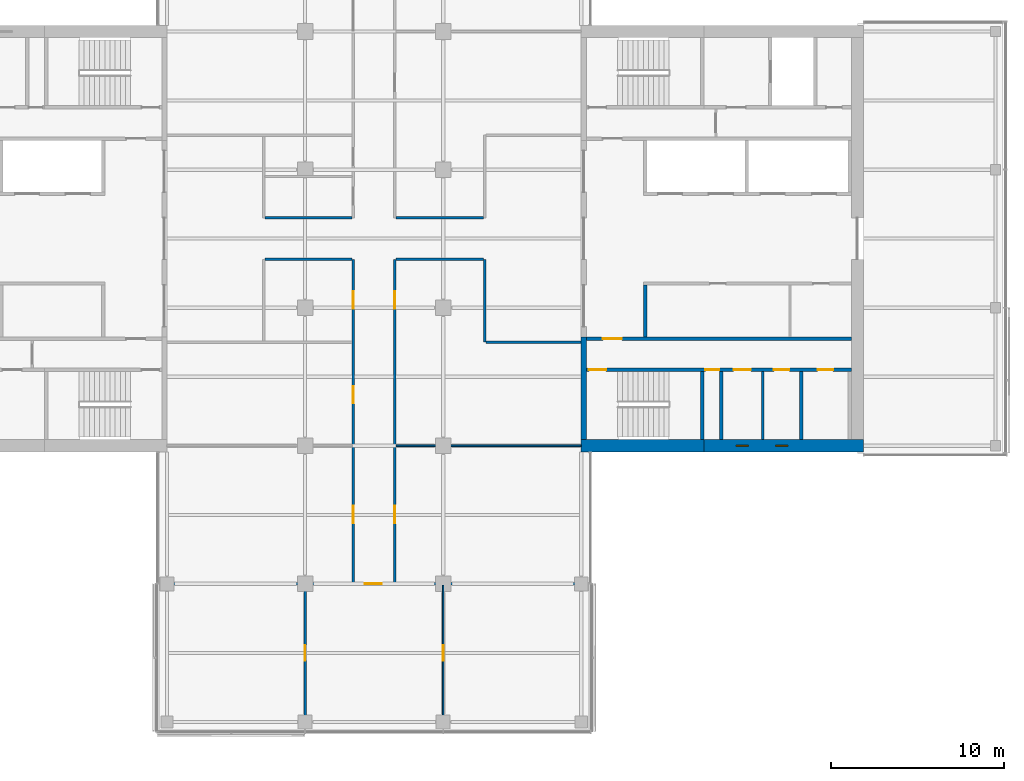
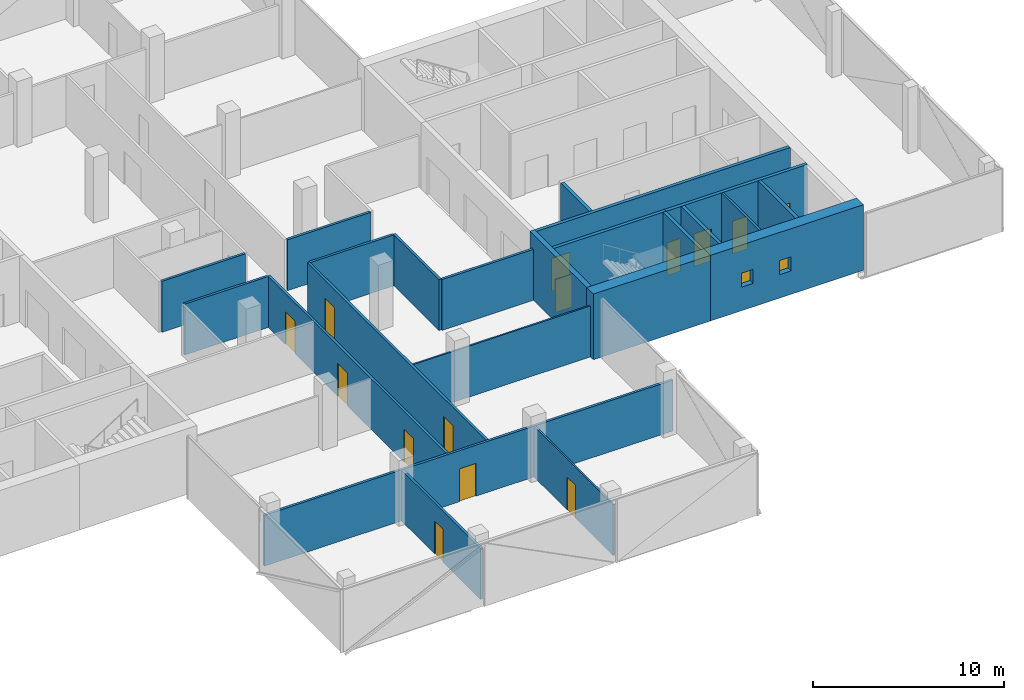
# One storey, part 14 of 22: 23 walls, 14 doors, 2 windows, 16 openings.
"""IFC4 building model written with IfcOpenShell, lengths in metres."""

from ifc_helpers import new_model, si_unit, direction, frame, frame_2d, origin, place, context, subcontext, project, spatial, rectangle, extrude, material, layer, layer_set, constituent, constituent_set, type_object, element, fill, save


model = new_model("IFC4")

# Units and contexts
model_context = context("Model", 3, precision=1e-05, world=origin(), true_north=direction((0.0, 1.0)))
body_context = subcontext(model_context, "Body", "Model", "MODEL_VIEW")
ifc_project = project(units=[si_unit("LENGTHUNIT", "METRE"), si_unit("AREAUNIT", "SQUARE_METRE"), si_unit("VOLUMEUNIT", "CUBIC_METRE"), si_unit("PLANEANGLEUNIT", "RADIAN"), si_unit("MASSUNIT", "GRAM", prefix="KILO")], contexts=[model_context])

# Site, building, storey
site_placement = place(None, origin())
site = spatial("IfcSite", under=ifc_project, at=site_placement, CompositionType="ELEMENT")
building_placement = place(site_placement, origin())
building = spatial("IfcBuilding", under=site, at=building_placement, Name="Crosswind Convention Tower", CompositionType="ELEMENT")
storey_placement = place(building_placement, frame((0.0, 0.0, 167.300048828125)))
storey = spatial("IfcBuildingStorey", under=building, at=storey_placement, Name="L35", CompositionType="ELEMENT", Elevation=167.300048828125)

# Walls
ifc_material_1 = material(Name="Concrete blockwork", Category="masonry")
ifc_layer_1 = layer(ifc_material_1, 0.199951171875)
ifc_layer_set_1 = layer_set([ifc_layer_1], Name="Blockwork partition wall 200")
wall_type_1 = type_object("IfcWallType", Name="Blockwork partition wall 200", PredefinedType="PARTITIONING", material=ifc_layer_set_1)
wall_1_placement = place(storey_placement, frame((145.10009765625, 88.35009765625, 0.0), z_axis=(0.0, 0.0, 1.0), x_axis=(0.0, 1.0, 0.0)))
element("IfcWall", 1, at=wall_1_placement, inside=storey, type_object=wall_type_1, Name="Wall MRSE E L35", PredefinedType="PARTITIONING", context=body_context, shape_type="SweptSolid", body=[
    extrude(rectangle(XDim=3.949951171875, YDim=0.199951171875, at=frame_2d((1.97509765625, 0.0))), origin(), (0.0, 0.0, 1.0), 4.199951171875),
])
ifc_material_2 = material(Name="Concrete C50/60", Category="concrete")
ifc_layer_2 = layer(ifc_material_2, 0.300048828125)
ifc_layer_set_2 = layer_set([ifc_layer_2], Name="Concrete C50/60")
wall_type_2 = type_object("IfcWallType", Name="Concrete inner core wall 300", PredefinedType="SHEAR", material=ifc_layer_set_2)
wall_2_placement = place(storey_placement, frame((137.14990234375, 88.35009765625, 0.0), z_axis=(0.0, 0.0, 1.0), x_axis=(0.0, 1.0, 0.0)))
element("IfcWall", 2, at=wall_2_placement, inside=storey, type_object=wall_type_2, Name="Wall EM E L35", PredefinedType="SHEAR", context=body_context, shape_type="SweptSolid", body=[
    extrude(rectangle(XDim=5.949951171875, YDim=0.300048828125, at=frame_2d((2.97509765625, 0.0))), origin(), (0.0, 0.0, 1.0), 4.199951171875),
])
ifc_layer_3 = layer(ifc_material_2, 0.199951171875)
ifc_layer_set_3 = layer_set([ifc_layer_3], Name="Concrete C50/60")
wall_type_3 = type_object("IfcWallType", Name="Concrete shaft and stair wall 200", PredefinedType="SHEAR", material=ifc_layer_set_3)
wall_3_placement = place(storey_placement, frame((140.699951171875, 94.300048828125, 0.0), z_axis=(0.0, 0.0, 1.0), x_axis=(0.0, 1.0, 0.0)))
element("IfcWall", 3, at=wall_3_placement, inside=storey, type_object=wall_type_3, Name="Wall RMEND E L35", PredefinedType="SHEAR", context=body_context, shape_type="SweptSolid", body=[
    extrude(rectangle(XDim=3.0, YDim=0.199951171875, at=frame_2d((1.5, 0.0))), origin(), (0.0, 0.0, 1.0), 4.199951171875),
])

# Wall, opening, door
wall_4_placement = place(storey_placement, frame((137.300048828125, 94.199951171875, 0.0), z_axis=(0.0, 0.0, 1.0), x_axis=(1.0, 0.0, 0.0)))
wall_4 = element("IfcWall", 4, at=wall_4_placement, inside=storey, type_object=wall_type_3, Name="Wall HM E L35", PredefinedType="SHEAR", context=body_context, shape_type="SweptSolid", body=[
    extrude(rectangle(XDim=15.349853515625, YDim=0.199951171875, at=frame_2d((7.6748046875, 0.0))), origin(), (0.0, 0.0, 1.0), 4.199951171875),
])
opening_1_placement = place(wall_4_placement, frame((0.949951171875, 0.0, 0.0)))
opening_1 = element("IfcOpeningElement", 5, at=opening_1_placement, cuts=wall_4, Name="Opening D104", PredefinedType="OPENING", context=body_context, shape_type="SweptSolid", body=[
    extrude(rectangle(XDim=1.10009765625, YDim=2.10009765625, at=frame_2d((0.550048828125, 1.050048828125))), frame((0.0, 0.10986328125, 0.0), z_axis=(0.0, -1.0, 0.0), x_axis=(1.0, 0.0, 0.0)), (0.0, 0.0, 1.0), 0.219970703125),
])
ifc_material_3 = material(Name="Steel fire door", Category="steel")
door_type_1 = type_object("IfcDoorType", Name="Fire-rated single door 1100x2100", OperationType="NOTDEFINED", PredefinedType="DOOR", material=ifc_material_3)
door_1_placement = place(opening_1_placement, origin())
door_1 = element("IfcDoor", 6, at=door_1_placement, inside=storey, type_object=door_type_1, Name="Corridor door L35", ObjectType="D104", OperationType="SINGLE_SWING_LEFT", OverallHeight=2.10009765625, OverallWidth=1.10009765625, PredefinedType="DOOR", context=body_context, shape_type="SweptSolid", body=[
    extrude(rectangle(XDim=1.10009765625, YDim=2.10009765625, at=frame_2d((0.550048828125, 1.050048828125))), frame((0.0, 0.02490234375, 0.0), z_axis=(0.0, -1.0, 0.0), x_axis=(1.0, 0.0, 0.0)), (0.0, 0.0, 1.0), 0.050048828125),
])
fill(opening_1, door_1)

# Walls
for number, where, z_axis, x_axis, name in (
    (7, (144.0, 88.35009765625, 0.0), (0.0, 0.0, 1.0), (0.0, 1.0, 0.0), "Wall MSE E L35"),
    (8, (149.75, 88.35009765625, 0.0), (0.0, 0.0, 1.0), (0.0, 1.0, 0.0), "Wall MFSW E L35"),
):
    element("IfcWall", number, at=place(storey_placement, frame(where, z_axis=z_axis, x_axis=x_axis)), inside=storey, type_object=wall_type_3, Name=name, PredefinedType="SHEAR", context=body_context, shape_type="SweptSolid", body=[
        extrude(rectangle(XDim=3.949951171875, YDim=0.199951171875, at=frame_2d((1.97509765625, 0.0))), origin(), (0.0, 0.0, 1.0), 4.199951171875),
    ])

# Wall, opening, door
wall_5_placement = place(storey_placement, frame((137.300048828125, 92.39990234375, 0.0), z_axis=(0.0, 0.0, 1.0), x_axis=(1.0, 0.0, 0.0)))
wall_5 = element("IfcWall", 9, at=wall_5_placement, inside=storey, type_object=wall_type_3, Name="Wall MCW E L35", PredefinedType="SHEAR", context=body_context, shape_type="SweptSolid", body=[
    extrude(rectangle(XDim=6.800048828125, YDim=0.199951171875, at=frame_2d((3.39990234375, 0.0))), origin(), (0.0, 0.0, 1.0), 4.199951171875),
])
opening_2_placement = place(wall_5_placement, frame((0.14990234375, 0.0, 0.0)))
opening_2 = element("IfcOpeningElement", 10, at=opening_2_placement, cuts=wall_5, Name="Opening D103", PredefinedType="OPENING", context=body_context, shape_type="SweptSolid", body=[
    extrude(rectangle(XDim=1.0, YDim=2.10009765625, at=frame_2d((0.5, 1.050048828125))), frame((0.0, 0.10986328125, 0.0), z_axis=(0.0, -1.0, 0.0), x_axis=(1.0, 0.0, 0.0)), (0.0, 0.0, 1.0), 0.219970703125),
])
door_type_2 = type_object("IfcDoorType", Name="Fire-rated single door 1000x2100", OperationType="NOTDEFINED", PredefinedType="DOOR", material=ifc_material_3)
door_2_placement = place(opening_2_placement, frame((1.0, 0.0, 0.0), z_axis=(0.0, 0.0, 1.0), x_axis=(-1.0, 0.0, 0.0)))
door_2 = element("IfcDoor", 11, at=door_2_placement, inside=storey, type_object=door_type_2, Name="Stair ST2 door L35", ObjectType="D103", OperationType="SINGLE_SWING_RIGHT", OverallHeight=2.10009765625, OverallWidth=1.0, PredefinedType="DOOR", context=body_context, shape_type="SweptSolid", body=[
    extrude(rectangle(XDim=1.0, YDim=2.10009765625, at=frame_2d((0.5, 1.050048828125))), frame((0.0, 0.02490234375, 0.0), z_axis=(0.0, -1.0, 0.0), x_axis=(1.0, 0.0, 0.0)), (0.0, 0.0, 1.0), 0.050048828125),
])
fill(opening_2, door_2)

# Wall, openings, doors
wall_6_placement = place(storey_placement, frame((144.10009765625, 92.39990234375, 0.0), z_axis=(0.0, 0.0, 1.0), x_axis=(1.0, 0.0, 0.0)))
wall_6 = element("IfcWall", 12, at=wall_6_placement, inside=storey, type_object=wall_type_3, Name="Wall MCX E L35", PredefinedType="SHEAR", context=body_context, shape_type="SweptSolid", body=[
    extrude(rectangle(XDim=8.5498046875, YDim=0.199951171875, at=frame_2d((4.27490234375, 0.0))), origin(), (0.0, 0.0, 1.0), 4.199951171875),
])
opening_3_placement = place(wall_6_placement, frame((0.10009765625, 0.0, 0.0)))
opening_3 = element("IfcOpeningElement", 13, at=opening_3_placement, cuts=wall_6, Name="Opening D105", PredefinedType="OPENING", context=body_context, shape_type="SweptSolid", body=[
    extrude(rectangle(XDim=0.800048828125, YDim=2.10009765625, at=frame_2d((0.39990234375, 1.050048828125))), frame((0.0, 0.10986328125, 0.0), z_axis=(0.0, -1.0, 0.0), x_axis=(1.0, 0.0, 0.0)), (0.0, 0.0, 1.0), 0.219970703125),
])
opening_4_placement = place(wall_6_placement, frame((1.725830078125, 0.0, 0.0)))
opening_4 = element("IfcOpeningElement", 14, at=opening_4_placement, cuts=wall_6, Name="Opening D103", PredefinedType="OPENING", context=body_context, shape_type="SweptSolid", body=[
    extrude(rectangle(XDim=1.0, YDim=2.10009765625, at=frame_2d((0.5, 1.050048828125))), frame((0.0, 0.10986328125, 0.0), z_axis=(0.0, -1.0, 0.0), x_axis=(1.0, 0.0, 0.0)), (0.0, 0.0, 1.0), 0.219970703125),
])
opening_5_placement = place(wall_6_placement, frame((4.063232421875, 0.0, 0.0)))
opening_5 = element("IfcOpeningElement", 15, at=opening_5_placement, cuts=wall_6, Name="Opening D106", PredefinedType="OPENING", context=body_context, shape_type="SweptSolid", body=[
    extrude(rectangle(XDim=0.89990234375, YDim=2.10009765625, at=frame_2d((0.449951171875, 1.050048828125))), frame((0.0, 0.10986328125, 0.0), z_axis=(0.0, -1.0, 0.0), x_axis=(1.0, 0.0, 0.0)), (0.0, 0.0, 1.0), 0.219970703125),
])
opening_6_placement = place(wall_6_placement, frame((6.60009765625, 0.0, 0.0)))
opening_6 = element("IfcOpeningElement", 16, at=opening_6_placement, cuts=wall_6, Name="Opening D106", PredefinedType="OPENING", context=body_context, shape_type="SweptSolid", body=[
    extrude(rectangle(XDim=0.89990234375, YDim=2.10009765625, at=frame_2d((0.449951171875, 1.050048828125))), frame((0.0, 0.10986328125, 0.0), z_axis=(0.0, -1.0, 0.0), x_axis=(1.0, 0.0, 0.0)), (0.0, 0.0, 1.0), 0.219970703125),
])
door_3_placement = place(opening_4_placement, frame((1.0, 0.0, 0.0), z_axis=(0.0, 0.0, 1.0), x_axis=(-1.0, 0.0, 0.0)))
door_3 = element("IfcDoor", 17, at=door_3_placement, inside=storey, type_object=door_type_2, Name="Door to accessible wc L35", ObjectType="D103", OperationType="SINGLE_SWING_LEFT", OverallHeight=2.10009765625, OverallWidth=1.0, PredefinedType="DOOR", context=body_context, shape_type="SweptSolid", body=[
    extrude(rectangle(XDim=1.0, YDim=2.10009765625, at=frame_2d((0.5, 1.050048828125))), frame((0.0, 0.02490234375, 0.0), z_axis=(0.0, -1.0, 0.0), x_axis=(1.0, 0.0, 0.0)), (0.0, 0.0, 1.0), 0.050048828125),
])
fill(opening_4, door_3)
door_type_3 = type_object("IfcDoorType", Name="Riser access door 800x2100", OperationType="NOTDEFINED", PredefinedType="DOOR", material=ifc_material_3)
door_4_placement = place(opening_3_placement, frame((0.800048828125, 0.0, 0.0), z_axis=(0.0, 0.0, 1.0), x_axis=(-1.0, 0.0, 0.0)))
door_4 = element("IfcDoor", 18, at=door_4_placement, inside=storey, type_object=door_type_3, Name="Riser door L35", ObjectType="D105", OperationType="SINGLE_SWING_LEFT", OverallHeight=2.10009765625, OverallWidth=0.800048828125, PredefinedType="DOOR", context=body_context, shape_type="SweptSolid", body=[
    extrude(rectangle(XDim=0.800048828125, YDim=2.10009765625, at=frame_2d((0.39990234375, 1.050048828125))), frame((0.0, 0.02490234375, 0.0), z_axis=(0.0, -1.0, 0.0), x_axis=(1.0, 0.0, 0.0)), (0.0, 0.0, 1.0), 0.050048828125),
])
fill(opening_3, door_4)
ifc_material_4 = material(Name="Timber door", Category="wood")
door_type_4 = type_object("IfcDoorType", Name="Single leaf door 900x2100", OperationType="NOTDEFINED", PredefinedType="DOOR", material=ifc_material_4)
door_5_placement = place(opening_5_placement, frame((0.89990234375, 0.0, 0.0), z_axis=(0.0, 0.0, 1.0), x_axis=(-1.0, 0.0, 0.0)))
door_5 = element("IfcDoor", 19, at=door_5_placement, inside=storey, type_object=door_type_4, Name="Door to wc L35", ObjectType="D106", OperationType="SINGLE_SWING_LEFT", OverallHeight=2.10009765625, OverallWidth=0.89990234375, PredefinedType="DOOR", context=body_context, shape_type="SweptSolid", body=[
    extrude(rectangle(XDim=0.89990234375, YDim=2.10009765625, at=frame_2d((0.449951171875, 1.050048828125))), frame((0.0, 0.02490234375, 0.0), z_axis=(0.0, -1.0, 0.0), x_axis=(1.0, 0.0, 0.0)), (0.0, 0.0, 1.0), 0.050048828125),
])
fill(opening_5, door_5)
door_6_placement = place(opening_6_placement, frame((0.89990234375, 0.0, 0.0), z_axis=(0.0, 0.0, 1.0), x_axis=(-1.0, 0.0, 0.0)))
door_6 = element("IfcDoor", 20, at=door_6_placement, inside=storey, type_object=door_type_4, Name="Door to wc L35", ObjectType="D106", OperationType="SINGLE_SWING_LEFT", OverallHeight=2.10009765625, OverallWidth=0.89990234375, PredefinedType="DOOR", context=body_context, shape_type="SweptSolid", body=[
    extrude(rectangle(XDim=0.89990234375, YDim=2.10009765625, at=frame_2d((0.449951171875, 1.050048828125))), frame((0.0, 0.02490234375, 0.0), z_axis=(0.0, -1.0, 0.0), x_axis=(1.0, 0.0, 0.0)), (0.0, 0.0, 1.0), 0.050048828125),
])
fill(opening_6, door_6)

# Wall
ifc_material_5 = material(Name="Gypsum plasterboard partition", Category="gypsum")
ifc_layer_4 = layer(ifc_material_5, 0.125)
ifc_layer_set_4 = layer_set([ifc_layer_4], Name="Drywall partition wall 125")
wall_type_4 = type_object("IfcWallType", Name="Drywall partition wall 125", PredefinedType="PARTITIONING", material=ifc_layer_set_4)
wall_7_placement = place(storey_placement, frame((147.513916015625, 88.35009765625, 0.0), z_axis=(0.0, 0.0, 1.0), x_axis=(0.0, 1.0, 0.0)))
element("IfcWall", 21, at=wall_7_placement, inside=storey, type_object=wall_type_4, Name="Wall MWP1 E L35", PredefinedType="PARTITIONING", context=body_context, shape_type="SweptSolid", body=[
    extrude(rectangle(XDim=3.949951171875, YDim=0.125, at=frame_2d((1.97509765625, 0.0))), origin(), (0.0, 0.0, 1.0), 4.199951171875),
])

# Wall, opening, door
ifc_material_6 = material(Name="Plasterboard partition", Category="gypsum")
ifc_layer_5 = layer(ifc_material_6, 0.10009765625)
ifc_layer_set_5 = layer_set([ifc_layer_5], Name="PARTITION 100 METAL STUD")
wall_type_5 = type_object("IfcWallType", Name="PARTITION 100 METAL STUD", PredefinedType="PARTITIONING", material=ifc_layer_set_5)
wall_8_placement = place(storey_placement, frame((129.0, 71.6298828125, 0.0), z_axis=(0.0, 0.0, 1.0), x_axis=(0.0, 1.0, 0.0)))
wall_8 = element("IfcWall", 22, at=wall_8_placement, inside=storey, type_object=wall_type_5, Name="Partition wall WT40", PredefinedType="PARTITIONING", context=body_context, shape_type="SweptSolid", body=[
    extrude(rectangle(XDim=8.295166015625, YDim=0.10009765625, at=frame_2d((4.1474609375, 0.0))), origin(), (0.0, 0.0, 1.0), 3.260498046875),
])
opening_7_placement = place(wall_8_placement, frame((3.919921875, 0.0, 0.0)))
opening_7 = element("IfcOpeningElement", 23, at=opening_7_placement, cuts=wall_8, Name="Opening L35-65", PredefinedType="OPENING", context=body_context, shape_type="SweptSolid", body=[
    extrude(rectangle(XDim=0.89990234375, YDim=2.10009765625, at=frame_2d((0.449951171875, 1.050048828125))), frame((0.0, 0.06005859375, 0.0), z_axis=(0.0, -1.0, 0.0), x_axis=(1.0, 0.0, 0.0)), (0.0, 0.0, 1.0), 0.1201171875),
])
door_type_5 = type_object("IfcDoorType", Name="INTERNAL DOOR 900X2100", OperationType="NOTDEFINED", PredefinedType="DOOR", material=ifc_material_4)
door_7_placement = place(opening_7_placement, origin())
door_7 = element("IfcDoor", 24, at=door_7_placement, inside=storey, type_object=door_type_5, Name="Door L35-65", ObjectType="D40", OperationType="SINGLE_SWING_RIGHT", OverallHeight=2.10009765625, OverallWidth=0.89990234375, PredefinedType="DOOR", context=body_context, shape_type="SweptSolid", body=[
    extrude(rectangle(XDim=0.89990234375, YDim=2.10009765625, at=frame_2d((0.449951171875, 1.050048828125))), frame((0.0, 0.02490234375, 0.0), z_axis=(0.0, -1.0, 0.0), x_axis=(1.0, 0.0, 0.0)), (0.0, 0.0, 1.0), 0.050048828125),
])
fill(opening_7, door_7)

# Wall
wall_9_placement = place(storey_placement, frame((126.27490234375, 88.0, 0.0), z_axis=(0.0, 0.0, 1.0), x_axis=(1.0, 0.0, 0.0)))
element("IfcWall", 25, at=wall_9_placement, inside=storey, type_object=wall_type_5, Name="Partition wall WT40", PredefinedType="PARTITIONING", context=body_context, shape_type="SweptSolid", body=[
    extrude(rectangle(XDim=10.72509765625, YDim=0.10009765625, at=frame_2d((5.362548828125, 0.0))), origin(), (0.0, 0.0, 1.0), 3.260498046875),
])

# Wall, opening, door
ifc_material_7 = material(Name="Fire-board partition with mineral wool", Category="gypsum")
ifc_layer_6 = layer(ifc_material_7, 0.14990234375)
ifc_layer_set_6 = layer_set([ifc_layer_6], Name="TENANCY WALL 150 TWO-HOUR BOARD")
wall_type_6 = type_object("IfcWallType", Name="TENANCY WALL 150 TWO-HOUR BOARD", PredefinedType="PARTITIONING", material=ifc_layer_set_6)
wall_10_placement = place(storey_placement, frame((121.0, 71.6298828125, 0.0), z_axis=(0.0, 0.0, 1.0), x_axis=(0.0, 1.0, 0.0)))
wall_10 = element("IfcWall", 26, at=wall_10_placement, inside=storey, type_object=wall_type_6, Name="Tenancy wall WT41", PredefinedType="PARTITIONING", context=body_context, shape_type="SweptSolid", body=[
    extrude(rectangle(XDim=8.295166015625, YDim=0.14990234375, at=frame_2d((4.1474609375, 0.0))), origin(), (0.0, 0.0, 1.0), 3.260498046875),
])
opening_8_placement = place(wall_10_placement, frame((3.919921875, 0.0, 0.0)))
opening_8 = element("IfcOpeningElement", 27, at=opening_8_placement, cuts=wall_10, Name="Opening L35-64", PredefinedType="OPENING", context=body_context, shape_type="SweptSolid", body=[
    extrude(rectangle(XDim=0.89990234375, YDim=2.10009765625, at=frame_2d((0.449951171875, 1.050048828125))), frame((0.0, 0.0849609375, 0.0), z_axis=(0.0, -1.0, 0.0), x_axis=(1.0, 0.0, 0.0)), (0.0, 0.0, 1.0), 0.169921875),
])
door_8_placement = place(opening_8_placement, frame((0.89990234375, 0.0, 0.0), z_axis=(0.0, 0.0, 1.0), x_axis=(-1.0, 0.0, 0.0)))
door_8 = element("IfcDoor", 28, at=door_8_placement, inside=storey, type_object=door_type_5, Name="Door L35-64", ObjectType="D40", OperationType="SINGLE_SWING_LEFT", OverallHeight=2.10009765625, OverallWidth=0.89990234375, PredefinedType="DOOR", context=body_context, shape_type="SweptSolid", body=[
    extrude(rectangle(XDim=0.89990234375, YDim=2.10009765625, at=frame_2d((0.449951171875, 1.050048828125))), frame((0.0, 0.02490234375, 0.0), z_axis=(0.0, -1.0, 0.0), x_axis=(1.0, 0.0, 0.0)), (0.0, 0.0, 1.0), 0.050048828125),
])
fill(opening_8, door_8)

# Wall, openings, doors
wall_11_placement = place(storey_placement, frame((123.800048828125, 80.074951171875, 0.0), z_axis=(0.0, 0.0, 1.0), x_axis=(0.0, 1.0, 0.0)))
wall_11 = element("IfcWall", 29, at=wall_11_placement, inside=storey, type_object=wall_type_6, Name="Tenancy wall WT41", PredefinedType="PARTITIONING", context=body_context, shape_type="SweptSolid", body=[
    extrude(rectangle(XDim=18.72509765625, YDim=0.14990234375, at=frame_2d((9.362548828125, 0.0))), origin(), (0.0, 0.0, 1.0), 3.260498046875),
])
opening_9_placement = place(wall_11_placement, frame((15.875, 0.0, 0.0)))
opening_9 = element("IfcOpeningElement", 30, at=opening_9_placement, cuts=wall_11, Name="Opening L35-57", PredefinedType="OPENING", context=body_context, shape_type="SweptSolid", body=[
    extrude(rectangle(XDim=1.0, YDim=2.10009765625, at=frame_2d((0.5, 1.050048828125))), frame((0.0, 0.0849609375, 0.0), z_axis=(0.0, -1.0, 0.0), x_axis=(1.0, 0.0, 0.0)), (0.0, 0.0, 1.0), 0.169921875),
])
opening_10_placement = place(wall_11_placement, frame((10.375, 0.0, 0.0)))
opening_10 = element("IfcOpeningElement", 31, at=opening_10_placement, cuts=wall_11, Name="Opening L35-58", PredefinedType="OPENING", context=body_context, shape_type="SweptSolid", body=[
    extrude(rectangle(XDim=1.0, YDim=2.10009765625, at=frame_2d((0.5, 1.050048828125))), frame((0.0, 0.0849609375, 0.0), z_axis=(0.0, -1.0, 0.0), x_axis=(1.0, 0.0, 0.0)), (0.0, 0.0, 1.0), 0.169921875),
])
opening_11_placement = place(wall_11_placement, frame((3.449951171875, 0.0, 0.0)))
opening_11 = element("IfcOpeningElement", 32, at=opening_11_placement, cuts=wall_11, Name="Opening L35-59", PredefinedType="OPENING", context=body_context, shape_type="SweptSolid", body=[
    extrude(rectangle(XDim=1.0, YDim=2.10009765625, at=frame_2d((0.5, 1.050048828125))), frame((0.0, 0.0849609375, 0.0), z_axis=(0.0, -1.0, 0.0), x_axis=(1.0, 0.0, 0.0)), (0.0, 0.0, 1.0), 0.169921875),
])
ifc_material_8 = material(Name="Timber fire door", Category="wood")
door_type_6 = type_object("IfcDoorType", Name="TENANCY ENTRANCE DOOR 1000X2100 FD30S", OperationType="NOTDEFINED", PredefinedType="DOOR", material=ifc_material_8)
door_9_placement = place(opening_9_placement, origin())
door_9 = element("IfcDoor", 33, at=door_9_placement, inside=storey, type_object=door_type_6, Name="Door L35-57", ObjectType="D41", OperationType="SINGLE_SWING_RIGHT", OverallHeight=2.10009765625, OverallWidth=1.0, PredefinedType="DOOR", context=body_context, shape_type="SweptSolid", body=[
    extrude(rectangle(XDim=1.0, YDim=2.10009765625, at=frame_2d((0.5, 1.050048828125))), frame((0.0, 0.02490234375, 0.0), z_axis=(0.0, -1.0, 0.0), x_axis=(1.0, 0.0, 0.0)), (0.0, 0.0, 1.0), 0.050048828125),
])
fill(opening_9, door_9)
door_10_placement = place(opening_10_placement, origin())
door_10 = element("IfcDoor", 34, at=door_10_placement, inside=storey, type_object=door_type_6, Name="Door L35-58", ObjectType="D41", OperationType="SINGLE_SWING_LEFT", OverallHeight=2.10009765625, OverallWidth=1.0, PredefinedType="DOOR", context=body_context, shape_type="SweptSolid", body=[
    extrude(rectangle(XDim=1.0, YDim=2.10009765625, at=frame_2d((0.5, 1.050048828125))), frame((0.0, 0.02490234375, 0.0), z_axis=(0.0, -1.0, 0.0), x_axis=(1.0, 0.0, 0.0)), (0.0, 0.0, 1.0), 0.050048828125),
])
fill(opening_10, door_10)
door_11_placement = place(opening_11_placement, origin())
door_11 = element("IfcDoor", 35, at=door_11_placement, inside=storey, type_object=door_type_6, Name="Door L35-59", ObjectType="D41", OperationType="SINGLE_SWING_RIGHT", OverallHeight=2.10009765625, OverallWidth=1.0, PredefinedType="DOOR", context=body_context, shape_type="SweptSolid", body=[
    extrude(rectangle(XDim=1.0, YDim=2.10009765625, at=frame_2d((0.5, 1.050048828125))), frame((0.0, 0.02490234375, 0.0), z_axis=(0.0, -1.0, 0.0), x_axis=(1.0, 0.0, 0.0)), (0.0, 0.0, 1.0), 0.050048828125),
])
fill(opening_11, door_11)

wall_12_placement = place(storey_placement, frame((126.199951171875, 80.074951171875, 0.0), z_axis=(0.0, 0.0, 1.0), x_axis=(0.0, 1.0, 0.0)))
wall_12 = element("IfcWall", 36, at=wall_12_placement, inside=storey, type_object=wall_type_6, Name="Tenancy wall WT41", PredefinedType="PARTITIONING", context=body_context, shape_type="SweptSolid", body=[
    extrude(rectangle(XDim=18.72509765625, YDim=0.14990234375, at=frame_2d((9.362548828125, 0.0))), origin(), (0.0, 0.0, 1.0), 3.260498046875),
])
opening_12_placement = place(wall_12_placement, frame((15.875, 0.0, 0.0)))
opening_12 = element("IfcOpeningElement", 37, at=opening_12_placement, cuts=wall_12, Name="Opening L35-52", PredefinedType="OPENING", context=body_context, shape_type="SweptSolid", body=[
    extrude(rectangle(XDim=1.0, YDim=2.10009765625, at=frame_2d((0.5, 1.050048828125))), frame((0.0, 0.0849609375, 0.0), z_axis=(0.0, -1.0, 0.0), x_axis=(1.0, 0.0, 0.0)), (0.0, 0.0, 1.0), 0.169921875),
])
opening_13_placement = place(wall_12_placement, frame((3.449951171875, 0.0, 0.0)))
opening_13 = element("IfcOpeningElement", 38, at=opening_13_placement, cuts=wall_12, Name="Opening L35-53", PredefinedType="OPENING", context=body_context, shape_type="SweptSolid", body=[
    extrude(rectangle(XDim=1.0, YDim=2.10009765625, at=frame_2d((0.5, 1.050048828125))), frame((0.0, 0.0849609375, 0.0), z_axis=(0.0, -1.0, 0.0), x_axis=(1.0, 0.0, 0.0)), (0.0, 0.0, 1.0), 0.169921875),
])
door_12_placement = place(opening_12_placement, frame((1.0, 0.0, 0.0), z_axis=(0.0, 0.0, 1.0), x_axis=(-1.0, 0.0, 0.0)))
door_12 = element("IfcDoor", 39, at=door_12_placement, inside=storey, type_object=door_type_6, Name="Door L35-52", ObjectType="D41", OperationType="SINGLE_SWING_LEFT", OverallHeight=2.10009765625, OverallWidth=1.0, PredefinedType="DOOR", context=body_context, shape_type="SweptSolid", body=[
    extrude(rectangle(XDim=1.0, YDim=2.10009765625, at=frame_2d((0.5, 1.050048828125))), frame((0.0, 0.02490234375, 0.0), z_axis=(0.0, -1.0, 0.0), x_axis=(1.0, 0.0, 0.0)), (0.0, 0.0, 1.0), 0.050048828125),
])
fill(opening_12, door_12)
door_13_placement = place(opening_13_placement, frame((1.0, 0.0, 0.0), z_axis=(0.0, 0.0, 1.0), x_axis=(-1.0, 0.0, 0.0)))
door_13 = element("IfcDoor", 40, at=door_13_placement, inside=storey, type_object=door_type_6, Name="Door L35-53", ObjectType="D41", OperationType="SINGLE_SWING_LEFT", OverallHeight=2.10009765625, OverallWidth=1.0, PredefinedType="DOOR", context=body_context, shape_type="SweptSolid", body=[
    extrude(rectangle(XDim=1.0, YDim=2.10009765625, at=frame_2d((0.5, 1.050048828125))), frame((0.0, 0.02490234375, 0.0), z_axis=(0.0, -1.0, 0.0), x_axis=(1.0, 0.0, 0.0)), (0.0, 0.0, 1.0), 0.050048828125),
])
fill(opening_13, door_13)

# Wall
wall_13_placement = place(storey_placement, frame((131.39990234375, 94.0, 0.0), z_axis=(0.0, 0.0, 1.0), x_axis=(0.0, 1.0, 0.0)))
element("IfcWall", 41, at=wall_13_placement, inside=storey, type_object=wall_type_6, Name="Tenancy wall WT41", PredefinedType="PARTITIONING", context=body_context, shape_type="SweptSolid", body=[
    extrude(rectangle(XDim=4.800048828125, YDim=0.14990234375, at=frame_2d((2.39990234375, 0.0))), origin(), (0.0, 0.0, 1.0), 3.260498046875),
])

# Wall, opening, door
wall_14_placement = place(storey_placement, frame((112.6298828125, 80.0, 0.0), z_axis=(0.0, 0.0, 1.0), x_axis=(1.0, 0.0, 0.0)))
wall_14 = element("IfcWall", 42, at=wall_14_placement, inside=storey, type_object=wall_type_6, Name="Tenancy wall WT41", PredefinedType="PARTITIONING", context=body_context, shape_type="SweptSolid", body=[
    extrude(rectangle(XDim=24.740234375, YDim=0.14990234375, at=frame_2d((12.3701171875, 0.0))), origin(), (0.0, 0.0, 1.0), 3.260498046875),
])
opening_14_placement = place(wall_14_placement, frame((11.820068359375, 0.0, 0.0)))
opening_14 = element("IfcOpeningElement", 43, at=opening_14_placement, cuts=wall_14, Name="Opening L35-63", PredefinedType="OPENING", context=body_context, shape_type="SweptSolid", body=[
    extrude(rectangle(XDim=1.0, YDim=2.10009765625, at=frame_2d((0.5, 1.050048828125))), frame((0.0, 0.0849609375, 0.0), z_axis=(0.0, -1.0, 0.0), x_axis=(1.0, 0.0, 0.0)), (0.0, 0.0, 1.0), 0.169921875),
])
door_14_placement = place(opening_14_placement, frame((1.0, 0.0, 0.0), z_axis=(0.0, 0.0, 1.0), x_axis=(-1.0, 0.0, 0.0)))
door_14 = element("IfcDoor", 44, at=door_14_placement, inside=storey, type_object=door_type_6, Name="Door L35-63", ObjectType="D41", OperationType="SINGLE_SWING_RIGHT", OverallHeight=2.10009765625, OverallWidth=1.0, PredefinedType="DOOR", context=body_context, shape_type="SweptSolid", body=[
    extrude(rectangle(XDim=1.0, YDim=2.10009765625, at=frame_2d((0.5, 1.050048828125))), frame((0.0, 0.02490234375, 0.0), z_axis=(0.0, -1.0, 0.0), x_axis=(1.0, 0.0, 0.0)), (0.0, 0.0, 1.0), 0.050048828125),
])
fill(opening_14, door_14)

# Walls
wall_15_placement = place(storey_placement, frame((131.47509765625, 94.0, 0.0), z_axis=(0.0, 0.0, 1.0), x_axis=(1.0, 0.0, 0.0)))
element("IfcWall", 45, at=wall_15_placement, inside=storey, type_object=wall_type_6, Name="Tenancy wall WT41", PredefinedType="PARTITIONING", context=body_context, shape_type="SweptSolid", body=[
    extrude(rectangle(XDim=5.52490234375, YDim=0.14990234375, at=frame_2d((2.762451171875, 0.0))), origin(), (0.0, 0.0, 1.0), 3.260498046875),
])
for number, where, z_axis, x_axis, name in (
    (46, (118.675048828125, 98.800048828125, 0.0), (0.0, 0.0, 1.0), (1.0, 0.0, 0.0), "Tenancy wall WT41"),
    (47, (126.27490234375, 98.800048828125, 0.0), (0.0, 0.0, 1.0), (1.0, 0.0, 0.0), "Tenancy wall WT41"),
    (48, (118.675048828125, 101.199951171875, 0.0), (0.0, 0.0, 1.0), (1.0, 0.0, 0.0), "Tenancy wall WT41"),
    (49, (126.27490234375, 101.199951171875, 0.0), (0.0, 0.0, 1.0), (1.0, 0.0, 0.0), "Tenancy wall WT41"),
):
    element("IfcWall", number, at=place(storey_placement, frame(where, z_axis=z_axis, x_axis=x_axis)), inside=storey, type_object=wall_type_6, Name=name, PredefinedType="PARTITIONING", context=body_context, shape_type="SweptSolid", body=[
        extrude(rectangle(XDim=5.050048828125, YDim=0.14990234375, at=frame_2d((2.52490234375, 0.0))), origin(), (0.0, 0.0, 1.0), 3.260498046875),
    ])
ifc_material_9 = material(Name="Concrete C60/75", Category="concrete")
ifc_constituent_1 = constituent(ifc_material_9, Name="Structure")
ifc_material_10 = material(Name="Terracotta rainscreen", Category="ceramic")
ifc_constituent_2 = constituent(ifc_material_10, Name="Facing")
ifc_constituent_set = constituent_set(constituents=[ifc_constituent_1, ifc_constituent_2], Name="Concrete C60/75, Terracotta rainscreen")
wall_type_7 = type_object("IfcWallType", Name="Terracotta rainscreen on concrete core wall 700", PredefinedType="SHEAR", material=ifc_constituent_set)
wall_16_placement = place(storey_placement, frame((137.0, 88.0, 0.0), z_axis=(0.0, 0.0, 1.0), x_axis=(1.0, 0.0, 0.0)))
element("IfcWall", 50, at=wall_16_placement, inside=storey, type_object=wall_type_7, Name="Wall S1 E L35", PredefinedType="SHEAR", context=body_context, shape_type="SweptSolid", body=[
    extrude(rectangle(XDim=7.10009765625, YDim=0.699951171875, at=frame_2d((3.550048828125, 0.0))), origin(), (0.0, 0.0, 1.0), 4.199951171875),
])

# Wall, openings, windows
wall_17_placement = place(storey_placement, frame((144.10009765625, 88.0, 0.0), z_axis=(0.0, 0.0, 1.0), x_axis=(1.0, 0.0, 0.0)))
wall_17 = element("IfcWall", 51, at=wall_17_placement, inside=storey, type_object=wall_type_7, Name="Wall S2 E L35", PredefinedType="SHEAR", context=body_context, shape_type="SweptSolid", body=[
    extrude(rectangle(XDim=9.25, YDim=0.699951171875, at=frame_2d((4.625, 0.0))), origin(), (0.0, 0.0, 1.0), 4.199951171875),
])
opening_15_placement = place(wall_17_placement, frame((1.875732421875, 0.0, 1.5)))
opening_15 = element("IfcOpeningElement", 52, at=opening_15_placement, cuts=wall_17, Name="Opening W2", PredefinedType="OPENING", context=body_context, shape_type="SweptSolid", body=[
    extrude(rectangle(XDim=0.699951171875, YDim=0.89990234375, at=frame_2d((0.35009765625, 0.449951171875))), frame((0.0, 0.35986328125, 0.0), z_axis=(0.0, -1.0, 0.0), x_axis=(1.0, 0.0, 0.0)), (0.0, 0.0, 1.0), 0.719970703125),
])
opening_16_placement = place(wall_17_placement, frame((4.163330078125, 0.0, 1.5)))
opening_16 = element("IfcOpeningElement", 53, at=opening_16_placement, cuts=wall_17, Name="Opening W2", PredefinedType="OPENING", context=body_context, shape_type="SweptSolid", body=[
    extrude(rectangle(XDim=0.699951171875, YDim=0.89990234375, at=frame_2d((0.35009765625, 0.449951171875))), frame((0.0, 0.35986328125, 0.0), z_axis=(0.0, -1.0, 0.0), x_axis=(1.0, 0.0, 0.0)), (0.0, 0.0, 1.0), 0.719970703125),
])
ifc_material_11 = material(Name="Obscure glass in aluminium frame", Category="aluminium")
window_type = type_object("IfcWindowType", Name="WC window 700x900", PartitioningType="SINGLE_PANEL", PredefinedType="WINDOW", material=ifc_material_11)
window_1_placement = place(opening_15_placement, origin())
window_1 = element("IfcWindow", 54, at=window_1_placement, inside=storey, type_object=window_type, Name="WC window L35", ObjectType="W2", OverallHeight=0.89990234375, OverallWidth=0.699951171875, PartitioningType="SINGLE_PANEL", PredefinedType="WINDOW", context=body_context, shape_type="SweptSolid", body=[
    extrude(rectangle(XDim=0.699951171875, YDim=0.89990234375, at=frame_2d((0.35009765625, 0.449951171875))), frame((0.0, 0.030029296875, 0.0), z_axis=(0.0, -1.0, 0.0), x_axis=(1.0, 0.0, 0.0)), (0.0, 0.0, 1.0), 0.06005859375),
])
fill(opening_15, window_1)
window_2_placement = place(opening_16_placement, origin())
window_2 = element("IfcWindow", 55, at=window_2_placement, inside=storey, type_object=window_type, Name="WC window L35", ObjectType="W2", OverallHeight=0.89990234375, OverallWidth=0.699951171875, PartitioningType="SINGLE_PANEL", PredefinedType="WINDOW", context=body_context, shape_type="SweptSolid", body=[
    extrude(rectangle(XDim=0.699951171875, YDim=0.89990234375, at=frame_2d((0.35009765625, 0.449951171875))), frame((0.0, 0.030029296875, 0.0), z_axis=(0.0, -1.0, 0.0), x_axis=(1.0, 0.0, 0.0)), (0.0, 0.0, 1.0), 0.06005859375),
])
fill(opening_16, window_2)

save(model, "model.ifc")
